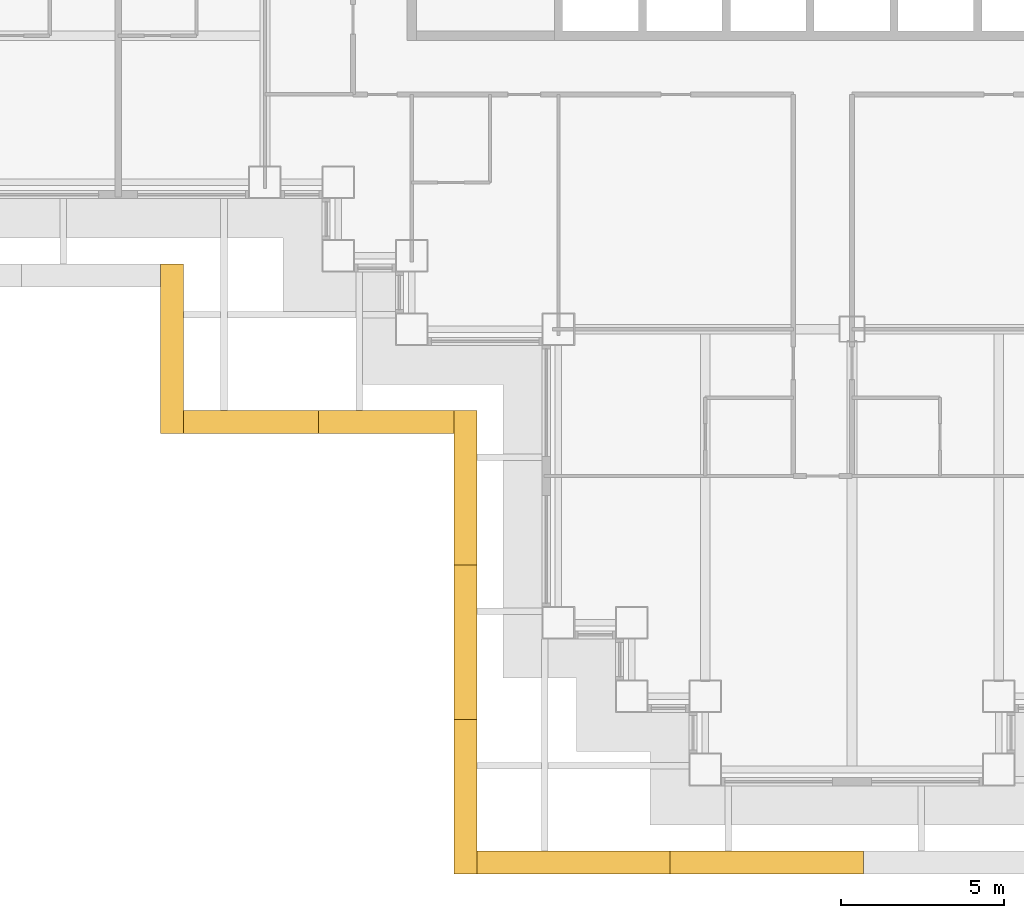
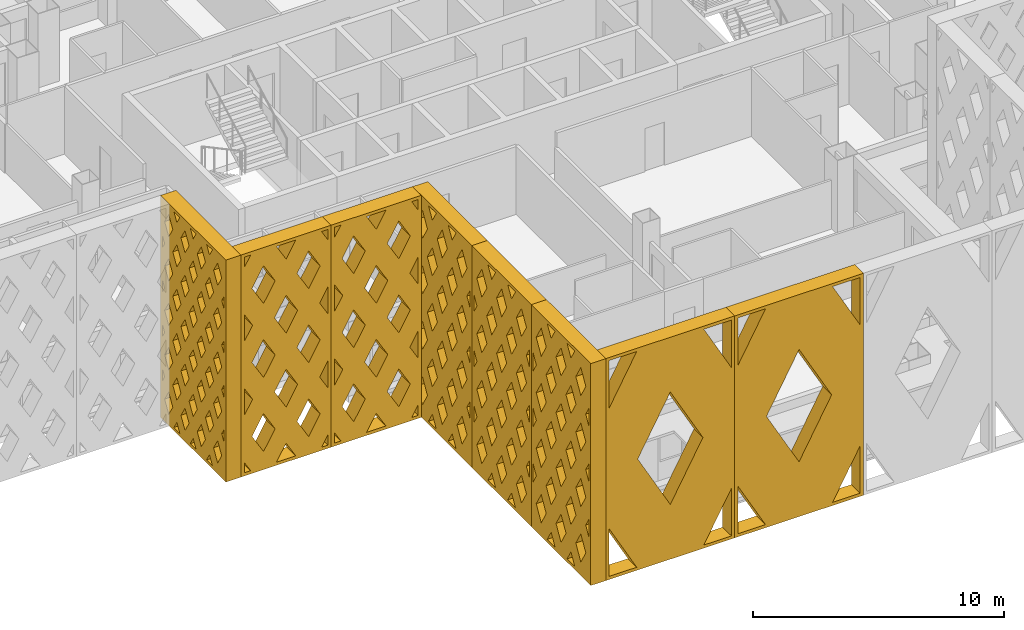
# One storey, part 13 of 19: 8 shading devices.
"""IFC4 building model written with IfcOpenShell, lengths in metres."""

from ifc_helpers import new_model, si_unit, direction, frame, origin, place, context, subcontext, project, spatial, polyline, outline, extrude, material, type_object, element, save


model = new_model("IFC4")

# Units and contexts
model_context = context("Model", 3, precision=1e-05, world=origin(), true_north=direction((0.0, 1.0)))
body_context = subcontext(model_context, "Body", "Model", "MODEL_VIEW")
ifc_project = project(units=[si_unit("LENGTHUNIT", "METRE"), si_unit("AREAUNIT", "SQUARE_METRE"), si_unit("VOLUMEUNIT", "CUBIC_METRE"), si_unit("PLANEANGLEUNIT", "RADIAN"), si_unit("MASSUNIT", "GRAM", prefix="KILO")], contexts=[model_context])

# Site, building, storey
site_placement = place(None, origin())
site = spatial("IfcSite", under=ifc_project, at=site_placement, CompositionType="ELEMENT")
building_placement = place(site_placement, origin())
building = spatial("IfcBuilding", under=site, at=building_placement, Name="Caravel Reach Hotel and Residences", CompositionType="ELEMENT")
storey_placement = place(building_placement, frame((0.0, 0.0, 74.39990234375)))
storey = spatial("IfcBuildingStorey", under=building, at=storey_placement, Name="L17", CompositionType="ELEMENT", Elevation=74.39990234375)

# Shading devices
ifc_material_1 = material(Name="Black powder-coated aluminium", Category="aluminium")
shading_device_type_1 = type_object("IfcShadingDeviceType", Name="Diamond lattice screen panel 4150 x 10800", PredefinedType="USERDEFINED", material=ifc_material_1)
shading_device_1_placement = place(storey_placement, frame((11.0, 11.0, 0.0), z_axis=(0.0, -1.0, 0.0), x_axis=(1.0, 0.0, 0.0)))
element("IfcShadingDevice", 1, at=shading_device_1_placement, inside=storey, type_object=shading_device_type_1, Name="Lattice screen L17-L19 20.1", ObjectType="SCREEN", PredefinedType="USERDEFINED", context=body_context, shape_type="SweptSolid", body=[
    extrude(outline(polyline([(0.0, 0.0), (4.14990234375, 0.0), (4.14990234375, 10.800048828125), (0.0, 10.800048828125), (0.0, 0.0)]), holes=[polyline([(0.445556640625, 0.14990234375), (0.14990234375, 0.662841796875), (0.14990234375, 0.14990234375), (0.445556640625, 0.14990234375)]), polyline([(0.531982421875, 3.60009765625), (0.14990234375, 4.2626953125), (0.14990234375, 2.937255859375), (0.531982421875, 3.60009765625)]), polyline([(0.531982421875, 7.199951171875), (0.14990234375, 7.86279296875), (0.14990234375, 6.537353515625), (0.531982421875, 7.199951171875)]), polyline([(0.14990234375, 10.13720703125), (0.445556640625, 10.64990234375), (0.14990234375, 10.64990234375), (0.14990234375, 10.13720703125)]), polyline([(1.03759765625, 2.722900390625), (0.505615234375, 1.800048828125), (1.03759765625, 0.876953125), (1.569580078125, 1.800048828125), (1.03759765625, 2.722900390625)]), polyline([(1.03759765625, 6.322998046875), (0.505615234375, 5.39990234375), (1.03759765625, 4.47705078125), (1.569580078125, 5.39990234375), (1.03759765625, 6.322998046875)]), polyline([(1.03759765625, 9.9228515625), (0.505615234375, 9.0), (1.03759765625, 8.0771484375), (1.569580078125, 9.0), (1.03759765625, 9.9228515625)]), polyline([(2.074951171875, 0.9228515625), (1.62939453125, 0.14990234375), (2.5205078125, 0.14990234375), (2.074951171875, 0.9228515625)]), polyline([(2.074951171875, 4.52294921875), (1.54296875, 3.60009765625), (2.074951171875, 2.677001953125), (2.60693359375, 3.60009765625), (2.074951171875, 4.52294921875)]), polyline([(2.074951171875, 8.123046875), (1.54296875, 7.199951171875), (2.074951171875, 6.277099609375), (2.60693359375, 7.199951171875), (2.074951171875, 8.123046875)]), polyline([(2.074951171875, 9.876953125), (2.5205078125, 10.64990234375), (1.62939453125, 10.64990234375), (2.074951171875, 9.876953125)]), polyline([(3.112548828125, 2.722900390625), (2.58056640625, 1.800048828125), (3.112548828125, 0.876953125), (3.64453125, 1.800048828125), (3.112548828125, 2.722900390625)]), polyline([(3.112548828125, 6.322998046875), (2.58056640625, 5.39990234375), (3.112548828125, 4.47705078125), (3.64453125, 5.39990234375), (3.112548828125, 6.322998046875)]), polyline([(3.112548828125, 9.9228515625), (2.58056640625, 9.0), (3.112548828125, 8.0771484375), (3.64453125, 9.0), (3.112548828125, 9.9228515625)]), polyline([(4.0, 0.662841796875), (3.70458984375, 0.14990234375), (4.0, 0.14990234375), (4.0, 0.662841796875)]), polyline([(3.617919921875, 3.60009765625), (4.0, 2.937255859375), (4.0, 4.2626953125), (3.617919921875, 3.60009765625)]), polyline([(3.617919921875, 7.199951171875), (4.0, 6.537353515625), (4.0, 7.86279296875), (3.617919921875, 7.199951171875)]), polyline([(3.70458984375, 10.64990234375), (4.0, 10.13720703125), (4.0, 10.64990234375), (3.70458984375, 10.64990234375)])]), origin(), (0.0, 0.0, 1.0), 0.699951171875),
])
shading_device_2_placement = place(storey_placement, frame((15.14990234375, 11.0, 0.0), z_axis=(0.0, -1.0, 0.0), x_axis=(1.0, 0.0, 0.0)))
element("IfcShadingDevice", 2, at=shading_device_2_placement, inside=storey, type_object=shading_device_type_1, Name="Lattice screen L17-L19 20.2", ObjectType="SCREEN", PredefinedType="USERDEFINED", context=body_context, shape_type="SweptSolid", body=[
    extrude(outline(polyline([(0.0, 0.0), (4.14990234375, 0.0), (4.14990234375, 10.800048828125), (0.0, 10.800048828125), (0.0, 0.0)]), holes=[polyline([(0.445556640625, 0.14990234375), (0.14990234375, 0.662841796875), (0.14990234375, 0.14990234375), (0.445556640625, 0.14990234375)]), polyline([(0.531982421875, 3.60009765625), (0.14990234375, 4.2626953125), (0.14990234375, 2.937255859375), (0.531982421875, 3.60009765625)]), polyline([(0.531982421875, 7.199951171875), (0.14990234375, 7.86279296875), (0.14990234375, 6.537353515625), (0.531982421875, 7.199951171875)]), polyline([(0.14990234375, 10.13720703125), (0.445556640625, 10.64990234375), (0.14990234375, 10.64990234375), (0.14990234375, 10.13720703125)]), polyline([(1.03759765625, 2.722900390625), (0.505615234375, 1.800048828125), (1.03759765625, 0.876953125), (1.569580078125, 1.800048828125), (1.03759765625, 2.722900390625)]), polyline([(1.03759765625, 6.322998046875), (0.505615234375, 5.39990234375), (1.03759765625, 4.47705078125), (1.569580078125, 5.39990234375), (1.03759765625, 6.322998046875)]), polyline([(1.03759765625, 9.9228515625), (0.505615234375, 9.0), (1.03759765625, 8.0771484375), (1.569580078125, 9.0), (1.03759765625, 9.9228515625)]), polyline([(2.074951171875, 0.9228515625), (1.62939453125, 0.14990234375), (2.5205078125, 0.14990234375), (2.074951171875, 0.9228515625)]), polyline([(2.074951171875, 4.52294921875), (1.54296875, 3.60009765625), (2.074951171875, 2.677001953125), (2.60693359375, 3.60009765625), (2.074951171875, 4.52294921875)]), polyline([(2.074951171875, 8.123046875), (1.54296875, 7.199951171875), (2.074951171875, 6.277099609375), (2.60693359375, 7.199951171875), (2.074951171875, 8.123046875)]), polyline([(2.074951171875, 9.876953125), (2.5205078125, 10.64990234375), (1.62939453125, 10.64990234375), (2.074951171875, 9.876953125)]), polyline([(3.112548828125, 2.722900390625), (2.58056640625, 1.800048828125), (3.112548828125, 0.876953125), (3.64453125, 1.800048828125), (3.112548828125, 2.722900390625)]), polyline([(3.112548828125, 6.322998046875), (2.58056640625, 5.39990234375), (3.112548828125, 4.47705078125), (3.64453125, 5.39990234375), (3.112548828125, 6.322998046875)]), polyline([(3.112548828125, 9.9228515625), (2.58056640625, 9.0), (3.112548828125, 8.0771484375), (3.64453125, 9.0), (3.112548828125, 9.9228515625)]), polyline([(4.0, 0.662841796875), (3.70458984375, 0.14990234375), (4.0, 0.14990234375), (4.0, 0.662841796875)]), polyline([(3.617919921875, 3.60009765625), (4.0, 2.937255859375), (4.0, 4.2626953125), (3.617919921875, 3.60009765625)]), polyline([(3.617919921875, 7.199951171875), (4.0, 6.537353515625), (4.0, 7.86279296875), (3.617919921875, 7.199951171875)]), polyline([(3.70458984375, 10.64990234375), (4.0, 10.13720703125), (4.0, 10.64990234375), (3.70458984375, 10.64990234375)])]), origin(), (0.0, 0.0, 1.0), 0.699951171875),
])
ifc_material_2 = material(Name="Black powder-coated aluminium", Category="aluminium")
shading_device_type_2 = type_object("IfcShadingDeviceType", Name="Diamond lattice screen panel 4733 x 10800", PredefinedType="USERDEFINED", material=ifc_material_2)
shading_device_3_placement = place(storey_placement, frame((20.0, 11.0, 0.0), z_axis=(-1.0, 0.0, 0.0), x_axis=(0.0, -1.0, 0.0)))
element("IfcShadingDevice", 3, at=shading_device_3_placement, inside=storey, type_object=shading_device_type_2, Name="Lattice screen L17-L19 1.1", ObjectType="SCREEN", PredefinedType="USERDEFINED", context=body_context, shape_type="SweptSolid", body=[
    extrude(outline(polyline([(0.0, 0.0), (4.7333984375, 0.0), (4.7333984375, 10.800048828125), (0.0, 10.800048828125), (0.0, 0.0)]), holes=[polyline([(0.4013671875, 2.699951171875), (0.14990234375, 3.130126953125), (0.14990234375, 2.269775390625), (0.4013671875, 2.699951171875)]), polyline([(0.4013671875, 5.39990234375), (0.14990234375, 5.830078125), (0.14990234375, 4.969970703125), (0.4013671875, 5.39990234375)]), polyline([(0.4013671875, 8.10009765625), (0.14990234375, 8.530029296875), (0.14990234375, 7.669921875), (0.4013671875, 8.10009765625)]), polyline([(0.788818359375, 2.036865234375), (0.387451171875, 1.35009765625), (0.788818359375, 0.6630859375), (1.190185546875, 1.35009765625), (0.788818359375, 2.036865234375)]), polyline([(0.788818359375, 4.73681640625), (0.387451171875, 4.050048828125), (0.788818359375, 3.36328125), (1.190185546875, 4.050048828125), (0.788818359375, 4.73681640625)]), polyline([(0.788818359375, 7.436767578125), (0.387451171875, 6.75), (0.788818359375, 6.063232421875), (1.190185546875, 6.75), (0.788818359375, 7.436767578125)]), polyline([(0.788818359375, 10.13671875), (0.387451171875, 9.449951171875), (0.788818359375, 8.76318359375), (1.190185546875, 9.449951171875), (0.788818359375, 10.13671875)]), polyline([(1.577880859375, 0.686767578125), (1.26416015625, 0.14990234375), (1.8916015625, 0.14990234375), (1.577880859375, 0.686767578125)]), polyline([(1.577880859375, 3.38671875), (1.176513671875, 2.699951171875), (1.577880859375, 2.01318359375), (1.979248046875, 2.699951171875), (1.577880859375, 3.38671875)]), polyline([(1.577880859375, 6.0869140625), (1.176513671875, 5.39990234375), (1.577880859375, 4.713134765625), (1.979248046875, 5.39990234375), (1.577880859375, 6.0869140625)]), polyline([(1.577880859375, 8.786865234375), (1.176513671875, 8.10009765625), (1.577880859375, 7.4130859375), (1.979248046875, 8.10009765625), (1.577880859375, 8.786865234375)]), polyline([(1.577880859375, 10.11328125), (1.8916015625, 10.64990234375), (1.26416015625, 10.64990234375), (1.577880859375, 10.11328125)]), polyline([(2.36669921875, 2.036865234375), (1.96533203125, 1.35009765625), (2.36669921875, 0.6630859375), (2.76806640625, 1.35009765625), (2.36669921875, 2.036865234375)]), polyline([(2.36669921875, 4.73681640625), (1.96533203125, 4.050048828125), (2.36669921875, 3.36328125), (2.76806640625, 4.050048828125), (2.36669921875, 4.73681640625)]), polyline([(2.36669921875, 7.436767578125), (1.96533203125, 6.75), (2.36669921875, 6.063232421875), (2.76806640625, 6.75), (2.36669921875, 7.436767578125)]), polyline([(2.36669921875, 10.13671875), (1.96533203125, 9.449951171875), (2.36669921875, 8.76318359375), (2.76806640625, 9.449951171875), (2.36669921875, 10.13671875)]), polyline([(3.155517578125, 0.686767578125), (2.841796875, 0.14990234375), (3.46923828125, 0.14990234375), (3.155517578125, 0.686767578125)]), polyline([(3.155517578125, 3.38671875), (2.754150390625, 2.699951171875), (3.155517578125, 2.01318359375), (3.556884765625, 2.699951171875), (3.155517578125, 3.38671875)]), polyline([(3.155517578125, 6.0869140625), (2.754150390625, 5.39990234375), (3.155517578125, 4.713134765625), (3.556884765625, 5.39990234375), (3.155517578125, 6.0869140625)]), polyline([(3.155517578125, 8.786865234375), (2.754150390625, 8.10009765625), (3.155517578125, 7.4130859375), (3.556884765625, 8.10009765625), (3.155517578125, 8.786865234375)]), polyline([(3.155517578125, 10.11328125), (3.46923828125, 10.64990234375), (2.841796875, 10.64990234375), (3.155517578125, 10.11328125)]), polyline([(3.9443359375, 2.036865234375), (3.54296875, 1.35009765625), (3.9443359375, 0.6630859375), (4.345703125, 1.35009765625), (3.9443359375, 2.036865234375)]), polyline([(3.9443359375, 4.73681640625), (3.54296875, 4.050048828125), (3.9443359375, 3.36328125), (4.345703125, 4.050048828125), (3.9443359375, 4.73681640625)]), polyline([(3.9443359375, 7.436767578125), (3.54296875, 6.75), (3.9443359375, 6.063232421875), (4.345703125, 6.75), (3.9443359375, 7.436767578125)]), polyline([(3.9443359375, 10.13671875), (3.54296875, 9.449951171875), (3.9443359375, 8.76318359375), (4.345703125, 9.449951171875), (3.9443359375, 10.13671875)]), polyline([(4.33203125, 2.699951171875), (4.583251953125, 2.269775390625), (4.583251953125, 3.130126953125), (4.33203125, 2.699951171875)]), polyline([(4.33203125, 5.39990234375), (4.583251953125, 4.969970703125), (4.583251953125, 5.830078125), (4.33203125, 5.39990234375)]), polyline([(4.33203125, 8.10009765625), (4.583251953125, 7.669921875), (4.583251953125, 8.530029296875), (4.33203125, 8.10009765625)])]), origin(), (0.0, 0.0, 1.0), 0.699951171875),
])
shading_device_4_placement = place(storey_placement, frame((20.0, 6.2666015625, 0.0), z_axis=(-1.0, 0.0, 0.0), x_axis=(0.0, -1.0, 0.0)))
element("IfcShadingDevice", 4, at=shading_device_4_placement, inside=storey, type_object=shading_device_type_2, Name="Lattice screen L17-L19 1.2", ObjectType="SCREEN", PredefinedType="USERDEFINED", context=body_context, shape_type="SweptSolid", body=[
    extrude(outline(polyline([(0.0, 0.0), (4.7333984375, 0.0), (4.7333984375, 10.800048828125), (0.0, 10.800048828125), (0.0, 0.0)]), holes=[polyline([(0.4013671875, 2.699951171875), (0.14990234375, 3.130126953125), (0.14990234375, 2.269775390625), (0.4013671875, 2.699951171875)]), polyline([(0.4013671875, 5.39990234375), (0.14990234375, 5.830078125), (0.14990234375, 4.969970703125), (0.4013671875, 5.39990234375)]), polyline([(0.4013671875, 8.10009765625), (0.14990234375, 8.530029296875), (0.14990234375, 7.669921875), (0.4013671875, 8.10009765625)]), polyline([(0.788818359375, 2.036865234375), (0.387451171875, 1.35009765625), (0.788818359375, 0.6630859375), (1.190185546875, 1.35009765625), (0.788818359375, 2.036865234375)]), polyline([(0.788818359375, 4.73681640625), (0.387451171875, 4.050048828125), (0.788818359375, 3.36328125), (1.190185546875, 4.050048828125), (0.788818359375, 4.73681640625)]), polyline([(0.788818359375, 7.436767578125), (0.387451171875, 6.75), (0.788818359375, 6.063232421875), (1.190185546875, 6.75), (0.788818359375, 7.436767578125)]), polyline([(0.788818359375, 10.13671875), (0.387451171875, 9.449951171875), (0.788818359375, 8.76318359375), (1.190185546875, 9.449951171875), (0.788818359375, 10.13671875)]), polyline([(1.577880859375, 0.686767578125), (1.26416015625, 0.14990234375), (1.8916015625, 0.14990234375), (1.577880859375, 0.686767578125)]), polyline([(1.577880859375, 3.38671875), (1.176513671875, 2.699951171875), (1.577880859375, 2.01318359375), (1.979248046875, 2.699951171875), (1.577880859375, 3.38671875)]), polyline([(1.577880859375, 6.0869140625), (1.176513671875, 5.39990234375), (1.577880859375, 4.713134765625), (1.979248046875, 5.39990234375), (1.577880859375, 6.0869140625)]), polyline([(1.577880859375, 8.786865234375), (1.176513671875, 8.10009765625), (1.577880859375, 7.4130859375), (1.979248046875, 8.10009765625), (1.577880859375, 8.786865234375)]), polyline([(1.577880859375, 10.11328125), (1.8916015625, 10.64990234375), (1.26416015625, 10.64990234375), (1.577880859375, 10.11328125)]), polyline([(2.36669921875, 2.036865234375), (1.96533203125, 1.35009765625), (2.36669921875, 0.6630859375), (2.76806640625, 1.35009765625), (2.36669921875, 2.036865234375)]), polyline([(2.36669921875, 4.73681640625), (1.96533203125, 4.050048828125), (2.36669921875, 3.36328125), (2.76806640625, 4.050048828125), (2.36669921875, 4.73681640625)]), polyline([(2.36669921875, 7.436767578125), (1.96533203125, 6.75), (2.36669921875, 6.063232421875), (2.76806640625, 6.75), (2.36669921875, 7.436767578125)]), polyline([(2.36669921875, 10.13671875), (1.96533203125, 9.449951171875), (2.36669921875, 8.76318359375), (2.76806640625, 9.449951171875), (2.36669921875, 10.13671875)]), polyline([(3.155517578125, 0.686767578125), (2.841796875, 0.14990234375), (3.46923828125, 0.14990234375), (3.155517578125, 0.686767578125)]), polyline([(3.155517578125, 3.38671875), (2.754150390625, 2.699951171875), (3.155517578125, 2.01318359375), (3.556884765625, 2.699951171875), (3.155517578125, 3.38671875)]), polyline([(3.155517578125, 6.0869140625), (2.754150390625, 5.39990234375), (3.155517578125, 4.713134765625), (3.556884765625, 5.39990234375), (3.155517578125, 6.0869140625)]), polyline([(3.155517578125, 8.786865234375), (2.754150390625, 8.10009765625), (3.155517578125, 7.4130859375), (3.556884765625, 8.10009765625), (3.155517578125, 8.786865234375)]), polyline([(3.155517578125, 10.11328125), (3.46923828125, 10.64990234375), (2.841796875, 10.64990234375), (3.155517578125, 10.11328125)]), polyline([(3.9443359375, 2.036865234375), (3.54296875, 1.35009765625), (3.9443359375, 0.6630859375), (4.345703125, 1.35009765625), (3.9443359375, 2.036865234375)]), polyline([(3.9443359375, 4.73681640625), (3.54296875, 4.050048828125), (3.9443359375, 3.36328125), (4.345703125, 4.050048828125), (3.9443359375, 4.73681640625)]), polyline([(3.9443359375, 7.436767578125), (3.54296875, 6.75), (3.9443359375, 6.063232421875), (4.345703125, 6.75), (3.9443359375, 7.436767578125)]), polyline([(3.9443359375, 10.13671875), (3.54296875, 9.449951171875), (3.9443359375, 8.76318359375), (4.345703125, 9.449951171875), (3.9443359375, 10.13671875)]), polyline([(4.33203125, 2.699951171875), (4.583251953125, 2.269775390625), (4.583251953125, 3.130126953125), (4.33203125, 2.699951171875)]), polyline([(4.33203125, 5.39990234375), (4.583251953125, 4.969970703125), (4.583251953125, 5.830078125), (4.33203125, 5.39990234375)]), polyline([(4.33203125, 8.10009765625), (4.583251953125, 7.669921875), (4.583251953125, 8.530029296875), (4.33203125, 8.10009765625)])]), origin(), (0.0, 0.0, 1.0), 0.699951171875),
])
shading_device_5_placement = place(storey_placement, frame((20.0, 1.533447265625, 0.0), z_axis=(-1.0, 0.0, 0.0), x_axis=(0.0, -1.0, 0.0)))
element("IfcShadingDevice", 5, at=shading_device_5_placement, inside=storey, type_object=shading_device_type_2, Name="Lattice screen L17-L19 1.3", ObjectType="SCREEN", PredefinedType="USERDEFINED", context=body_context, shape_type="SweptSolid", body=[
    extrude(outline(polyline([(0.0, 0.0), (4.7333984375, 0.0), (4.7333984375, 10.800048828125), (0.0, 10.800048828125), (0.0, 0.0)]), holes=[polyline([(0.4013671875, 2.699951171875), (0.14990234375, 3.130126953125), (0.14990234375, 2.269775390625), (0.4013671875, 2.699951171875)]), polyline([(0.4013671875, 5.39990234375), (0.14990234375, 5.830078125), (0.14990234375, 4.969970703125), (0.4013671875, 5.39990234375)]), polyline([(0.4013671875, 8.10009765625), (0.14990234375, 8.530029296875), (0.14990234375, 7.669921875), (0.4013671875, 8.10009765625)]), polyline([(0.788818359375, 2.036865234375), (0.387451171875, 1.35009765625), (0.788818359375, 0.6630859375), (1.190185546875, 1.35009765625), (0.788818359375, 2.036865234375)]), polyline([(0.788818359375, 4.73681640625), (0.387451171875, 4.050048828125), (0.788818359375, 3.36328125), (1.190185546875, 4.050048828125), (0.788818359375, 4.73681640625)]), polyline([(0.788818359375, 7.436767578125), (0.387451171875, 6.75), (0.788818359375, 6.063232421875), (1.190185546875, 6.75), (0.788818359375, 7.436767578125)]), polyline([(0.788818359375, 10.13671875), (0.387451171875, 9.449951171875), (0.788818359375, 8.76318359375), (1.190185546875, 9.449951171875), (0.788818359375, 10.13671875)]), polyline([(1.577880859375, 0.686767578125), (1.26416015625, 0.14990234375), (1.8916015625, 0.14990234375), (1.577880859375, 0.686767578125)]), polyline([(1.577880859375, 3.38671875), (1.176513671875, 2.699951171875), (1.577880859375, 2.01318359375), (1.979248046875, 2.699951171875), (1.577880859375, 3.38671875)]), polyline([(1.577880859375, 6.0869140625), (1.176513671875, 5.39990234375), (1.577880859375, 4.713134765625), (1.979248046875, 5.39990234375), (1.577880859375, 6.0869140625)]), polyline([(1.577880859375, 8.786865234375), (1.176513671875, 8.10009765625), (1.577880859375, 7.4130859375), (1.979248046875, 8.10009765625), (1.577880859375, 8.786865234375)]), polyline([(1.577880859375, 10.11328125), (1.8916015625, 10.64990234375), (1.26416015625, 10.64990234375), (1.577880859375, 10.11328125)]), polyline([(2.36669921875, 2.036865234375), (1.96533203125, 1.35009765625), (2.36669921875, 0.6630859375), (2.76806640625, 1.35009765625), (2.36669921875, 2.036865234375)]), polyline([(2.36669921875, 4.73681640625), (1.96533203125, 4.050048828125), (2.36669921875, 3.36328125), (2.76806640625, 4.050048828125), (2.36669921875, 4.73681640625)]), polyline([(2.36669921875, 7.436767578125), (1.96533203125, 6.75), (2.36669921875, 6.063232421875), (2.76806640625, 6.75), (2.36669921875, 7.436767578125)]), polyline([(2.36669921875, 10.13671875), (1.96533203125, 9.449951171875), (2.36669921875, 8.76318359375), (2.76806640625, 9.449951171875), (2.36669921875, 10.13671875)]), polyline([(3.155517578125, 0.686767578125), (2.841796875, 0.14990234375), (3.46923828125, 0.14990234375), (3.155517578125, 0.686767578125)]), polyline([(3.155517578125, 3.38671875), (2.754150390625, 2.699951171875), (3.155517578125, 2.01318359375), (3.556884765625, 2.699951171875), (3.155517578125, 3.38671875)]), polyline([(3.155517578125, 6.0869140625), (2.754150390625, 5.39990234375), (3.155517578125, 4.713134765625), (3.556884765625, 5.39990234375), (3.155517578125, 6.0869140625)]), polyline([(3.155517578125, 8.786865234375), (2.754150390625, 8.10009765625), (3.155517578125, 7.4130859375), (3.556884765625, 8.10009765625), (3.155517578125, 8.786865234375)]), polyline([(3.155517578125, 10.11328125), (3.46923828125, 10.64990234375), (2.841796875, 10.64990234375), (3.155517578125, 10.11328125)]), polyline([(3.9443359375, 2.036865234375), (3.54296875, 1.35009765625), (3.9443359375, 0.6630859375), (4.345703125, 1.35009765625), (3.9443359375, 2.036865234375)]), polyline([(3.9443359375, 4.73681640625), (3.54296875, 4.050048828125), (3.9443359375, 3.36328125), (4.345703125, 4.050048828125), (3.9443359375, 4.73681640625)]), polyline([(3.9443359375, 7.436767578125), (3.54296875, 6.75), (3.9443359375, 6.063232421875), (4.345703125, 6.75), (3.9443359375, 7.436767578125)]), polyline([(3.9443359375, 10.13671875), (3.54296875, 9.449951171875), (3.9443359375, 8.76318359375), (4.345703125, 9.449951171875), (3.9443359375, 10.13671875)]), polyline([(4.33203125, 2.699951171875), (4.583251953125, 2.269775390625), (4.583251953125, 3.130126953125), (4.33203125, 2.699951171875)]), polyline([(4.33203125, 5.39990234375), (4.583251953125, 4.969970703125), (4.583251953125, 5.830078125), (4.33203125, 5.39990234375)]), polyline([(4.33203125, 8.10009765625), (4.583251953125, 7.669921875), (4.583251953125, 8.530029296875), (4.33203125, 8.10009765625)])]), origin(), (0.0, 0.0, 1.0), 0.699951171875),
])
ifc_material_3 = material(Name="Black powder-coated aluminium", Category="aluminium")
shading_device_type_3 = type_object("IfcShadingDeviceType", Name="Diamond lattice screen panel 5200 x 10800", PredefinedType="USERDEFINED", material=ifc_material_3)
shading_device_6_placement = place(storey_placement, frame((11.0, 15.5, 0.0), z_axis=(-1.0, 0.0, 0.0), x_axis=(0.0, -1.0, 0.0)))
element("IfcShadingDevice", 6, at=shading_device_6_placement, inside=storey, type_object=shading_device_type_3, Name="Lattice screen L17-L19 19.1", ObjectType="SCREEN", PredefinedType="USERDEFINED", context=body_context, shape_type="SweptSolid", body=[
    extrude(outline(polyline([(0.0, 0.0), (5.199951171875, 0.0), (5.199951171875, 10.800048828125), (0.0, 10.800048828125), (0.0, 0.0)]), holes=[polyline([(0.3271484375, 2.159912109375), (0.14990234375, 2.454345703125), (0.14990234375, 1.86572265625), (0.3271484375, 2.159912109375)]), polyline([(0.3271484375, 4.320068359375), (0.14990234375, 4.6142578125), (0.14990234375, 4.025634765625), (0.3271484375, 4.320068359375)]), polyline([(0.3271484375, 6.47998046875), (0.14990234375, 6.774169921875), (0.14990234375, 6.185791015625), (0.3271484375, 6.47998046875)]), polyline([(0.3271484375, 8.639892578125), (0.14990234375, 8.934326171875), (0.14990234375, 8.345703125), (0.3271484375, 8.639892578125)]), polyline([(0.64990234375, 1.62353515625), (0.322998046875, 1.080078125), (0.64990234375, 0.536376953125), (0.97705078125, 1.080078125), (0.64990234375, 1.62353515625)]), polyline([(0.64990234375, 3.783447265625), (0.322998046875, 3.239990234375), (0.64990234375, 2.696533203125), (0.97705078125, 3.239990234375), (0.64990234375, 3.783447265625)]), polyline([(0.64990234375, 5.943603515625), (0.322998046875, 5.39990234375), (0.64990234375, 4.8564453125), (0.97705078125, 5.39990234375), (0.64990234375, 5.943603515625)]), polyline([(0.64990234375, 8.103515625), (0.322998046875, 7.56005859375), (0.64990234375, 7.016357421875), (0.97705078125, 7.56005859375), (0.64990234375, 8.103515625)]), polyline([(0.64990234375, 10.263427734375), (0.322998046875, 9.719970703125), (0.64990234375, 9.176513671875), (0.97705078125, 9.719970703125), (0.64990234375, 10.263427734375)]), polyline([(1.300048828125, 0.54345703125), (1.063232421875, 0.14990234375), (1.536865234375, 0.14990234375), (1.300048828125, 0.54345703125)]), polyline([(1.300048828125, 2.70361328125), (0.972900390625, 2.159912109375), (1.300048828125, 1.616455078125), (1.627197265625, 2.159912109375), (1.300048828125, 2.70361328125)]), polyline([(1.300048828125, 4.863525390625), (0.972900390625, 4.320068359375), (1.300048828125, 3.7763671875), (1.627197265625, 4.320068359375), (1.300048828125, 4.863525390625)]), polyline([(1.300048828125, 7.0234375), (0.972900390625, 6.47998046875), (1.300048828125, 5.9365234375), (1.627197265625, 6.47998046875), (1.300048828125, 7.0234375)]), polyline([(1.300048828125, 9.18359375), (0.972900390625, 8.639892578125), (1.300048828125, 8.096435546875), (1.627197265625, 8.639892578125), (1.300048828125, 9.18359375)]), polyline([(1.300048828125, 10.256591796875), (1.536865234375, 10.64990234375), (1.063232421875, 10.64990234375), (1.300048828125, 10.256591796875)]), polyline([(1.949951171875, 1.62353515625), (1.622802734375, 1.080078125), (1.949951171875, 0.536376953125), (2.277099609375, 1.080078125), (1.949951171875, 1.62353515625)]), polyline([(1.949951171875, 3.783447265625), (1.622802734375, 3.239990234375), (1.949951171875, 2.696533203125), (2.277099609375, 3.239990234375), (1.949951171875, 3.783447265625)]), polyline([(1.949951171875, 5.943603515625), (1.622802734375, 5.39990234375), (1.949951171875, 4.8564453125), (2.277099609375, 5.39990234375), (1.949951171875, 5.943603515625)]), polyline([(1.949951171875, 8.103515625), (1.622802734375, 7.56005859375), (1.949951171875, 7.016357421875), (2.277099609375, 7.56005859375), (1.949951171875, 8.103515625)]), polyline([(1.949951171875, 10.263427734375), (1.622802734375, 9.719970703125), (1.949951171875, 9.176513671875), (2.277099609375, 9.719970703125), (1.949951171875, 10.263427734375)]), polyline([(2.60009765625, 0.54345703125), (2.363037109375, 0.14990234375), (2.8369140625, 0.14990234375), (2.60009765625, 0.54345703125)]), polyline([(2.60009765625, 2.70361328125), (2.27294921875, 2.159912109375), (2.60009765625, 1.616455078125), (2.927001953125, 2.159912109375), (2.60009765625, 2.70361328125)]), polyline([(2.60009765625, 4.863525390625), (2.27294921875, 4.320068359375), (2.60009765625, 3.7763671875), (2.927001953125, 4.320068359375), (2.60009765625, 4.863525390625)]), polyline([(2.60009765625, 7.0234375), (2.27294921875, 6.47998046875), (2.60009765625, 5.9365234375), (2.927001953125, 6.47998046875), (2.60009765625, 7.0234375)]), polyline([(2.60009765625, 9.18359375), (2.27294921875, 8.639892578125), (2.60009765625, 8.096435546875), (2.927001953125, 8.639892578125), (2.60009765625, 9.18359375)]), polyline([(2.60009765625, 10.256591796875), (2.8369140625, 10.64990234375), (2.363037109375, 10.64990234375), (2.60009765625, 10.256591796875)]), polyline([(3.25, 1.62353515625), (2.9228515625, 1.080078125), (3.25, 0.536376953125), (3.5771484375, 1.080078125), (3.25, 1.62353515625)]), polyline([(3.25, 3.783447265625), (2.9228515625, 3.239990234375), (3.25, 2.696533203125), (3.5771484375, 3.239990234375), (3.25, 3.783447265625)]), polyline([(3.25, 5.943603515625), (2.9228515625, 5.39990234375), (3.25, 4.8564453125), (3.5771484375, 5.39990234375), (3.25, 5.943603515625)]), polyline([(3.25, 8.103515625), (2.9228515625, 7.56005859375), (3.25, 7.016357421875), (3.5771484375, 7.56005859375), (3.25, 8.103515625)]), polyline([(3.25, 10.263427734375), (2.9228515625, 9.719970703125), (3.25, 9.176513671875), (3.5771484375, 9.719970703125), (3.25, 10.263427734375)]), polyline([(3.89990234375, 0.54345703125), (3.6630859375, 0.14990234375), (4.136962890625, 0.14990234375), (3.89990234375, 0.54345703125)]), polyline([(3.89990234375, 2.70361328125), (3.572998046875, 2.159912109375), (3.89990234375, 1.616455078125), (4.22705078125, 2.159912109375), (3.89990234375, 2.70361328125)]), polyline([(3.89990234375, 4.863525390625), (3.572998046875, 4.320068359375), (3.89990234375, 3.7763671875), (4.22705078125, 4.320068359375), (3.89990234375, 4.863525390625)]), polyline([(3.89990234375, 7.0234375), (3.572998046875, 6.47998046875), (3.89990234375, 5.9365234375), (4.22705078125, 6.47998046875), (3.89990234375, 7.0234375)]), polyline([(3.89990234375, 9.18359375), (3.572998046875, 8.639892578125), (3.89990234375, 8.096435546875), (4.22705078125, 8.639892578125), (3.89990234375, 9.18359375)]), polyline([(3.89990234375, 10.256591796875), (4.136962890625, 10.64990234375), (3.6630859375, 10.64990234375), (3.89990234375, 10.256591796875)]), polyline([(4.550048828125, 1.62353515625), (4.222900390625, 1.080078125), (4.550048828125, 0.536376953125), (4.877197265625, 1.080078125), (4.550048828125, 1.62353515625)]), polyline([(4.550048828125, 3.783447265625), (4.222900390625, 3.239990234375), (4.550048828125, 2.696533203125), (4.877197265625, 3.239990234375), (4.550048828125, 3.783447265625)]), polyline([(4.550048828125, 5.943603515625), (4.222900390625, 5.39990234375), (4.550048828125, 4.8564453125), (4.877197265625, 5.39990234375), (4.550048828125, 5.943603515625)]), polyline([(4.550048828125, 8.103515625), (4.222900390625, 7.56005859375), (4.550048828125, 7.016357421875), (4.877197265625, 7.56005859375), (4.550048828125, 8.103515625)]), polyline([(4.550048828125, 10.263427734375), (4.222900390625, 9.719970703125), (4.550048828125, 9.176513671875), (4.877197265625, 9.719970703125), (4.550048828125, 10.263427734375)]), polyline([(4.872802734375, 2.159912109375), (5.050048828125, 1.86572265625), (5.050048828125, 2.454345703125), (4.872802734375, 2.159912109375)]), polyline([(4.872802734375, 4.320068359375), (5.050048828125, 4.025634765625), (5.050048828125, 4.6142578125), (4.872802734375, 4.320068359375)]), polyline([(4.872802734375, 6.47998046875), (5.050048828125, 6.185791015625), (5.050048828125, 6.774169921875), (4.872802734375, 6.47998046875)]), polyline([(4.872802734375, 8.639892578125), (5.050048828125, 8.345703125), (5.050048828125, 8.934326171875), (4.872802734375, 8.639892578125)])]), origin(), (0.0, 0.0, 1.0), 0.699951171875),
])
ifc_material_4 = material(Name="Black powder-coated aluminium", Category="aluminium")
shading_device_type_4 = type_object("IfcShadingDeviceType", Name="Diamond lattice screen panel 5925 x 10800", PredefinedType="USERDEFINED", material=ifc_material_4)
for number, where, z_axis, x_axis, name in (
    (7, (20.0, -2.5, 0.0), (0.0, -1.0, 0.0), (1.0, 0.0, 0.0), "Lattice screen L17-L19 2.1"),
    (8, (25.925048828125, -2.5, 0.0), (0.0, -1.0, 0.0), (1.0, 0.0, 0.0), "Lattice screen L17-L19 2.2"),
):
    element("IfcShadingDevice", number, at=place(storey_placement, frame(where, z_axis=z_axis, x_axis=x_axis)), inside=storey, type_object=shading_device_type_4, Name=name, ObjectType="SCREEN", PredefinedType="USERDEFINED", context=body_context, shape_type="SweptSolid", body=[
        extrude(outline(polyline([(0.0, 0.0), (5.925048828125, 0.0), (5.925048828125, 10.800048828125), (0.0, 10.800048828125), (0.0, 0.0)]), holes=[polyline([(1.41845703125, 0.14990234375), (0.14990234375, 2.462158203125), (0.14990234375, 0.14990234375), (1.41845703125, 0.14990234375)]), polyline([(0.14990234375, 8.337646484375), (1.41845703125, 10.64990234375), (0.14990234375, 10.64990234375), (0.14990234375, 8.337646484375)]), polyline([(2.96240234375, 8.1357421875), (1.461669921875, 5.39990234375), (2.96240234375, 2.664306640625), (4.46337890625, 5.39990234375), (2.96240234375, 8.1357421875)]), polyline([(5.77490234375, 2.462158203125), (4.506591796875, 0.14990234375), (5.77490234375, 0.14990234375), (5.77490234375, 2.462158203125)]), polyline([(4.506591796875, 10.64990234375), (5.77490234375, 8.337646484375), (5.77490234375, 10.64990234375), (4.506591796875, 10.64990234375)])]), origin(), (0.0, 0.0, 1.0), 0.699951171875),
    ])

save(model, "model.ifc")
